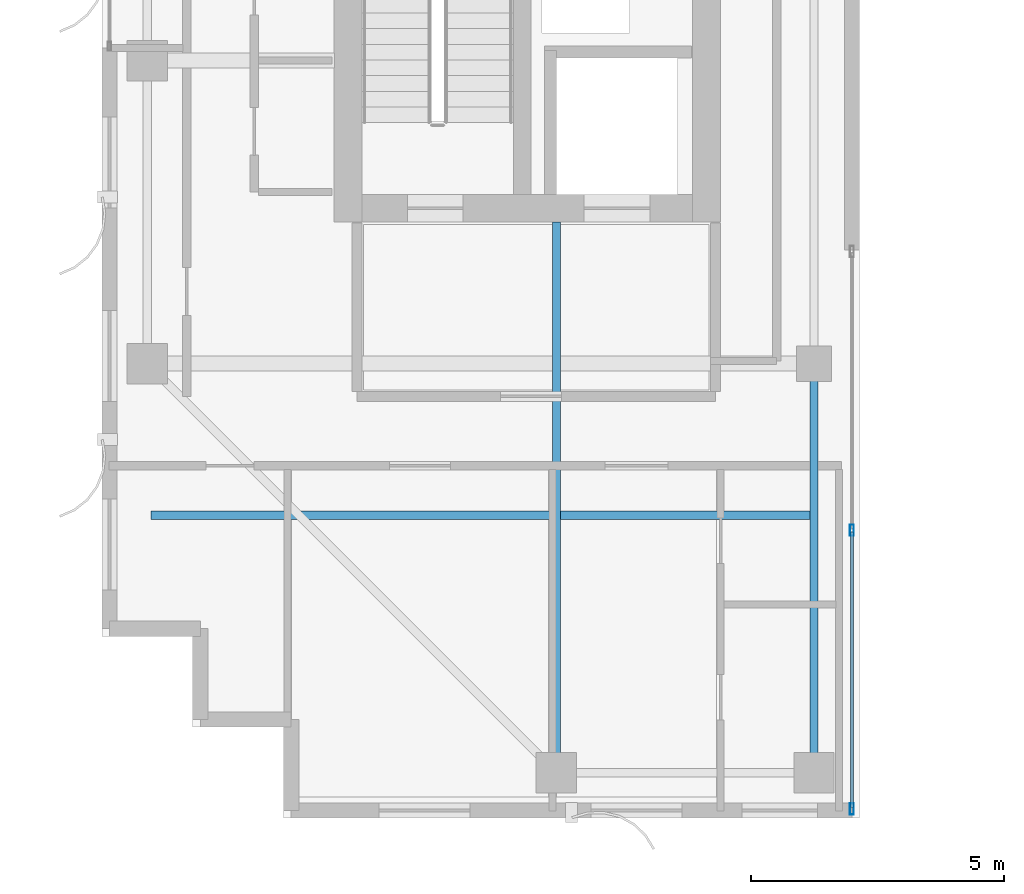
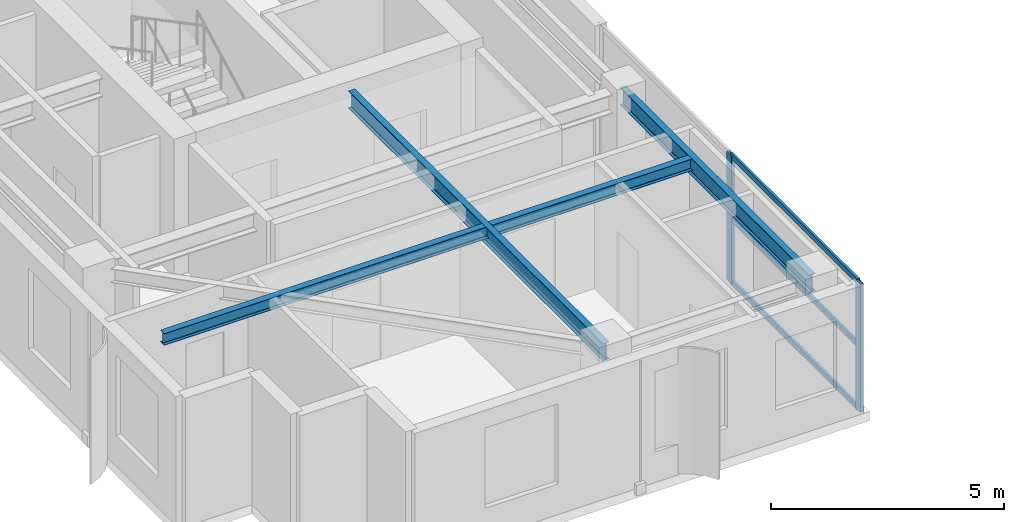
# One storey, part 2 of 24: 5 members, 3 beams, 1 element without a shape of its own.
"""IFC4 building model written with IfcOpenShell, lengths in metres."""

from ifc_helpers import new_model, si_unit, direction, frame, origin, origin_2d, place, context, subcontext, project, spatial, hollow_rectangle, i_section, extrude, source, transform, mapped, material, layer, layer_set, material_profile, profile_set, type_object, element, aggregate, save


model = new_model("IFC4")

# Units and contexts
model_context = context("Model", 3, precision=1e-05, world=origin(), true_north=direction((0.0, 1.0)))
body_context = subcontext(model_context, "Body", "Model", "MODEL_VIEW")
ifc_project = project(units=[si_unit("LENGTHUNIT", "METRE"), si_unit("AREAUNIT", "SQUARE_METRE"), si_unit("VOLUMEUNIT", "CUBIC_METRE"), si_unit("PLANEANGLEUNIT", "RADIAN"), si_unit("MASSUNIT", "GRAM", prefix="KILO")], contexts=[model_context])

# Site, building, storey
site_placement = place(None, origin())
site = spatial("IfcSite", under=ifc_project, at=site_placement, CompositionType="ELEMENT")
building_placement = place(site_placement, origin())
building = spatial("IfcBuilding", under=site, at=building_placement, Name="Khoralis Quay Care Tower", CompositionType="ELEMENT")
storey_placement = place(building_placement, frame((0.0, 0.0, 231.300048828125)))
storey = spatial("IfcBuildingStorey", under=building, at=storey_placement, Name="L60", CompositionType="ELEMENT", Elevation=231.300048828125)

# Beams
ifc_material_1 = material(Name="Steel S355", Category="steel")
ifc_material_profile_1 = material_profile(ifc_material_1, i_section(OverallWidth=0.1650390625, OverallDepth=0.31005859375, WebThickness=0.005859375, FlangeThickness=0.009765625, FilletRadius=0.011962890625, at=origin_2d()), Name="Steel S355")
ifc_profile_set_1 = profile_set([ifc_material_profile_1], Name="Steel S355")
beam_type_1 = type_object("IfcBeamType", Name="BM-W310X39", PredefinedType="JOIST", material=ifc_profile_set_1)
shared_shape_1 = source(origin(), body_context, "Body", "SweptSolid", [
    extrude(i_section(OverallWidth=0.1650390625, OverallDepth=0.31005859375, WebThickness=0.005859375, FlangeThickness=0.009765625, FilletRadius=0.011962890625, at=origin_2d()), origin(), (0.0, 0.0, 1.0), 13.06396484375),
])
beam_1_placement = place(storey_placement, frame((3.970947265625, 9.0, 3.204833984375), z_axis=(1.0, 0.0, 0.0), x_axis=(0.0, 1.0, 0.0)))
element("IfcBeam", 1, at=beam_1_placement, inside=storey, type_object=beam_type_1, Name="BM-TJS-L60-17", PredefinedType="JOIST", context=body_context, shape_type="MappedRepresentation", body=[
    mapped(shared_shape_1, transform((0.0, 0.0, 0.0), scale=1.0)),
])
ifc_material_profile_2 = material_profile(ifc_material_1, i_section(OverallWidth=0.154052734375, OverallDepth=0.458984375, WebThickness=0.009033203125, FlangeThickness=0.015380859375, FilletRadius=0.014892578125, at=origin_2d()), Name="Steel S355")
ifc_profile_set_2 = profile_set([ifc_material_profile_2], Name="Steel S355")
beam_type_2 = type_object("IfcBeamType", Name="BM-W460X68", PredefinedType="BEAM", material=ifc_profile_set_2)
shared_shape_2 = source(origin(), body_context, "Body", "SweptSolid", [
    extrude(i_section(OverallWidth=0.154052734375, OverallDepth=0.458984375, WebThickness=0.009033203125, FlangeThickness=0.015380859375, FilletRadius=0.014892578125, at=origin_2d()), origin(), (0.0, 0.0, 1.0), 10.902099609375),
])
beam_2_placement = place(storey_placement, frame((12.0, 3.89990234375, 3.13037109375), z_axis=(0.0, 1.0, 0.0), x_axis=(-1.0, 0.0, 0.0)))
element("IfcBeam", 2, at=beam_2_placement, inside=storey, type_object=beam_type_2, Name="BM-TGYS-L60-120", PredefinedType="BEAM", context=body_context, shape_type="MappedRepresentation", body=[
    mapped(shared_shape_2, transform((0.0, 0.0, 0.0), scale=1.0)),
])
shared_shape_3 = source(origin(), body_context, "Body", "SweptSolid", [
    extrude(i_section(OverallWidth=0.154052734375, OverallDepth=0.458984375, WebThickness=0.009033203125, FlangeThickness=0.015380859375, FilletRadius=0.014892578125, at=origin_2d()), origin(), (0.0, 0.0, 1.0), 8.10009765625),
])
beam_3_placement = place(storey_placement, frame((17.10009765625, 3.89990234375, 3.13037109375), z_axis=(0.0, 1.0, 0.0), x_axis=(-1.0, 0.0, 0.0)))
element("IfcBeam", 3, at=beam_3_placement, inside=storey, type_object=beam_type_2, Name="BM-TGYS-L60-171", PredefinedType="BEAM", context=body_context, shape_type="MappedRepresentation", body=[
    mapped(shared_shape_3, transform((0.0, 0.0, 0.0), scale=1.0)),
])

# Curtain wall, members
ifc_material_2 = material(Name="Pale anodised aluminium", Category="aluminium")
ifc_layer = layer(ifc_material_2, 0.18994140625)
ifc_layer_set = layer_set([ifc_layer], Name="Pale anodised aluminium")
curtain_wall_type = type_object("IfcCurtainWallType", Name="CW-SYS-PORTAL", PredefinedType="NOTDEFINED", material=ifc_layer_set)
curtain_wall_placement = place(storey_placement, origin())
curtain_wall = element("IfcCurtainWall", 4, at=curtain_wall_placement, inside=storey, type_object=curtain_wall_type, Name="L60 Unitised Curtain Wall CW-VP-L60-P1-S", PredefinedType="NOTDEFINED")
ifc_material_profile_3 = material_profile(ifc_material_2, hollow_rectangle(XDim=0.06005859375, YDim=0.139892578125, WallThickness=0.00390625, at=origin_2d()), Name="Pale anodised aluminium")
ifc_profile_set_3 = profile_set([ifc_material_profile_3], Name="Pale anodised aluminium")
member_type_1 = type_object("IfcMemberType", Name="CW-TRN-140", PredefinedType="USERDEFINED", material=ifc_profile_set_3)
shared_shape_4 = source(origin(), body_context, "Body", "SweptSolid", [
    extrude(hollow_rectangle(XDim=0.06005859375, YDim=0.139892578125, WallThickness=0.00390625, at=origin_2d()), origin(), (0.0, 0.0, 1.0), 5.4599609375),
])
member_1_placement = place(storey_placement, frame((17.85009765625, 3.2099609375, 0.030029296875), z_axis=(0.0, 1.0, 0.0), x_axis=(-1.0, 0.0, 0.0)))
member_1 = element("IfcMember", 5, at=member_1_placement, type_object=member_type_1, Name="CW4 transom 1.1", ObjectType="TRANSOM", PredefinedType="USERDEFINED", context=body_context, shape_type="MappedRepresentation", body=[
    mapped(shared_shape_4, transform((0.0, 0.0, 0.0), scale=1.0)),
])
member_2_placement = place(storey_placement, frame((17.85009765625, 3.2099609375, 1.679931640625), z_axis=(0.0, 1.0, 0.0), x_axis=(-1.0, 0.0, 0.0)))
member_2 = element("IfcMember", 6, at=member_2_placement, type_object=member_type_1, Name="CW4 transom 1.2", ObjectType="TRANSOM", PredefinedType="USERDEFINED", context=body_context, shape_type="MappedRepresentation", body=[
    mapped(shared_shape_4, transform((0.0, 0.0, 0.0), scale=1.0)),
])
member_3_placement = place(storey_placement, frame((17.85009765625, 3.2099609375, 3.329833984375), z_axis=(0.0, 1.0, 0.0), x_axis=(-1.0, 0.0, 0.0)))
member_3 = element("IfcMember", 7, at=member_3_placement, type_object=member_type_1, Name="CW4 transom 1.3", ObjectType="TRANSOM", PredefinedType="USERDEFINED", context=body_context, shape_type="MappedRepresentation", body=[
    mapped(shared_shape_4, transform((0.0, 0.0, 0.0), scale=1.0)),
])
ifc_material_profile_4 = material_profile(ifc_material_2, hollow_rectangle(XDim=0.074951171875, YDim=0.219970703125, WallThickness=0.00390625, at=origin_2d()), Name="Pale anodised aluminium")
ifc_profile_set_4 = profile_set([ifc_material_profile_4], Name="Pale anodised aluminium")
member_type_2 = type_object("IfcMemberType", Name="CW-MUL-220", PredefinedType="MULLION", material=ifc_profile_set_4)
shared_shape_5 = source(origin(), body_context, "Body", "SweptSolid", [
    extrude(hollow_rectangle(XDim=0.074951171875, YDim=0.219970703125, WallThickness=0.00390625, at=origin_2d()), origin(), (0.0, 0.0, 1.0), 3.35986328125),
])
member_4_placement = place(storey_placement, frame((17.85009765625, 3.179931640625, 0.0), z_axis=(0.0, 0.0, 1.0), x_axis=(-1.0, 0.0, 0.0)))
member_4 = element("IfcMember", 8, at=member_4_placement, type_object=member_type_2, Name="CW4 mullion 1", PredefinedType="MULLION", context=body_context, shape_type="MappedRepresentation", body=[
    mapped(shared_shape_5, transform((0.0, 0.0, 0.0), scale=1.0)),
])
member_5_placement = place(storey_placement, frame((17.85009765625, 8.699951171875, 0.0), z_axis=(0.0, 0.0, 1.0), x_axis=(-1.0, 0.0, 0.0)))
member_5 = element("IfcMember", 9, at=member_5_placement, type_object=member_type_2, Name="CW4 mullion 2", PredefinedType="MULLION", context=body_context, shape_type="MappedRepresentation", body=[
    mapped(shared_shape_5, transform((0.0, 0.0, 0.0), scale=1.0)),
])
aggregate(curtain_wall, [member_4, member_5, member_1, member_2, member_3])

save(model, "model.ifc")
